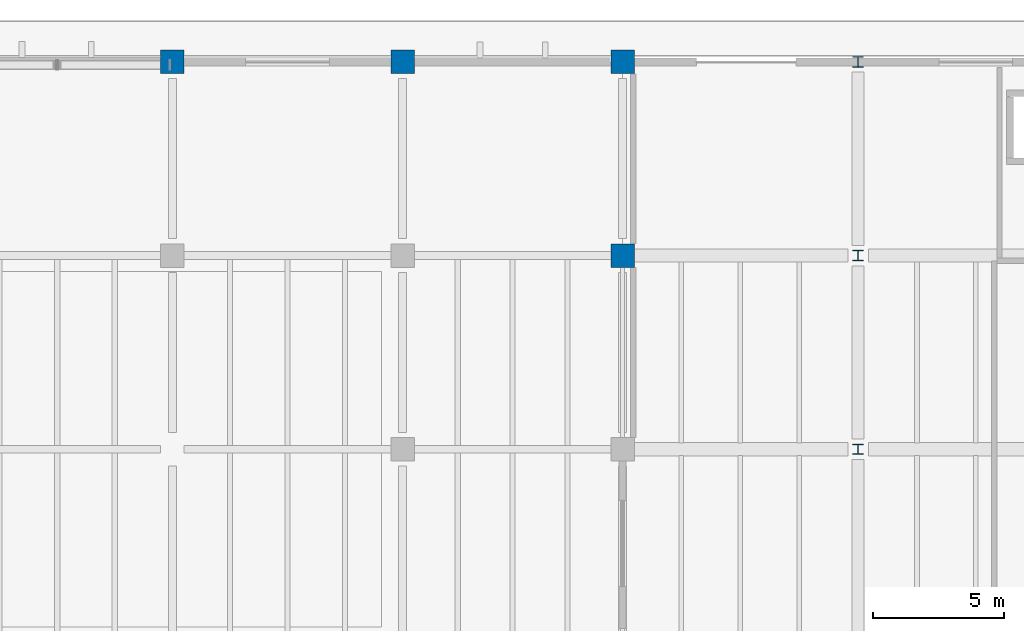
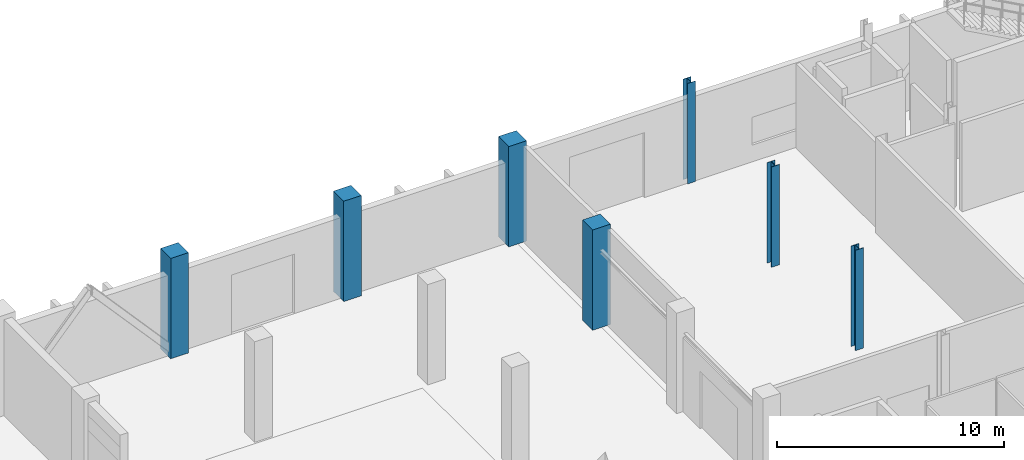
# One storey, part 15 of 95: 7 columns.
"""IFC4 building model written with IfcOpenShell, lengths in metres."""

from ifc_helpers import new_model, si_unit, direction, frame, origin, origin_2d, place, context, subcontext, project, spatial, rectangle, i_section, extrude, material, material_profile, profile_set, type_object, element, save


model = new_model("IFC4")

# Units and contexts
model_context = context("Model", 3, precision=1e-05, world=origin(), true_north=direction((0.0, 1.0)))
body_context = subcontext(model_context, "Body", "Model", "MODEL_VIEW")
ifc_project = project(units=[si_unit("LENGTHUNIT", "METRE"), si_unit("AREAUNIT", "SQUARE_METRE"), si_unit("VOLUMEUNIT", "CUBIC_METRE"), si_unit("PLANEANGLEUNIT", "RADIAN"), si_unit("MASSUNIT", "GRAM", prefix="KILO")], contexts=[model_context])

# Site, building, storey
site_placement = place(None, origin())
site = spatial("IfcSite", under=ifc_project, at=site_placement, CompositionType="ELEMENT")
building_placement = place(site_placement, origin())
building = spatial("IfcBuilding", under=site, at=building_placement, Name="Shengluoqiao Park Theatre", CompositionType="ELEMENT")
storey_placement = place(building_placement, origin())
storey = spatial("IfcBuildingStorey", under=building, at=storey_placement, Name="L00", CompositionType="ELEMENT", Elevation=0.0)

# Columns
ifc_material_1 = material(Name="Steel Q390", Category="steel")
ifc_material_profile_1 = material_profile(ifc_material_1, i_section(OverallWidth=0.407958984375, OverallDepth=0.39990234375, WebThickness=0.02099609375, FlangeThickness=0.02099609375, FilletRadius=0.02197265625, at=origin_2d()), Name="HW 400x408x21x21")
ifc_profile_set_1 = profile_set([ifc_material_profile_1], Name="Steel Q390")
column_type_1 = type_object("IfcColumnType", Name="STR-COL-C-HW408", PredefinedType="COLUMN", material=ifc_profile_set_1)
for number, where, z_axis, x_axis, name in (
    (1, (121.39990234375, 99.199951171875, 0.0), (0.0, 0.0, 1.0), (1.0, 0.0, 0.0), "L00 Column 0608"),
    (2, (121.39990234375, 106.60009765625, 0.0), (0.0, 0.0, 1.0), (1.0, 0.0, 0.0), "L00 Column 0612"),
    (3, (121.39990234375, 114.0, 0.0), (0.0, 0.0, 1.0), (1.0, 0.0, 0.0), "L00 Column 0619"),
):
    element("IfcColumn", number, at=place(storey_placement, frame(where, z_axis=z_axis, x_axis=x_axis)), inside=storey, type_object=column_type_1, Name=name, PredefinedType="COLUMN", context=body_context, shape_type="SweptSolid", body=[
        extrude(i_section(OverallWidth=0.407958984375, OverallDepth=0.39990234375, WebThickness=0.02099609375, FlangeThickness=0.02099609375, FilletRadius=0.02197265625, at=origin_2d()), origin(), (0.0, 0.0, 1.0), 5.39990234375),
    ])
ifc_material_2 = material(Name="Concrete C50", Category="concrete")
ifc_material_profile_2 = material_profile(ifc_material_2, rectangle(XDim=0.89990234375, YDim=0.89990234375, at=origin_2d()), Name="RC 900x900")
ifc_profile_set_2 = profile_set([ifc_material_profile_2], Name="Concrete C50")
column_type_2 = type_object("IfcColumnType", Name="STR-COL-C-RC900", PredefinedType="COLUMN", material=ifc_profile_set_2)
for number, where, z_axis, x_axis, name in (
    (4, (95.199951171875, 114.0, 0.0), (0.0, 0.0, 1.0), (1.0, 0.0, 0.0), "L00 Column 0485"),
    (5, (104.0, 114.0, 0.0), (0.0, 0.0, 1.0), (1.0, 0.0, 0.0), "L00 Column 0531"),
    (6, (112.39990234375, 106.60009765625, 0.0), (0.0, 0.0, 1.0), (1.0, 0.0, 0.0), "L00 Column 0570"),
    (7, (112.39990234375, 114.0, 0.0), (0.0, 0.0, 1.0), (1.0, 0.0, 0.0), "L00 Column 0577"),
):
    element("IfcColumn", number, at=place(storey_placement, frame(where, z_axis=z_axis, x_axis=x_axis)), inside=storey, type_object=column_type_2, Name=name, PredefinedType="COLUMN", context=body_context, shape_type="SweptSolid", body=[
        extrude(rectangle(XDim=0.89990234375, YDim=0.89990234375, at=origin_2d()), origin(), (0.0, 0.0, 1.0), 5.39990234375),
    ])

save(model, "model.ifc")
